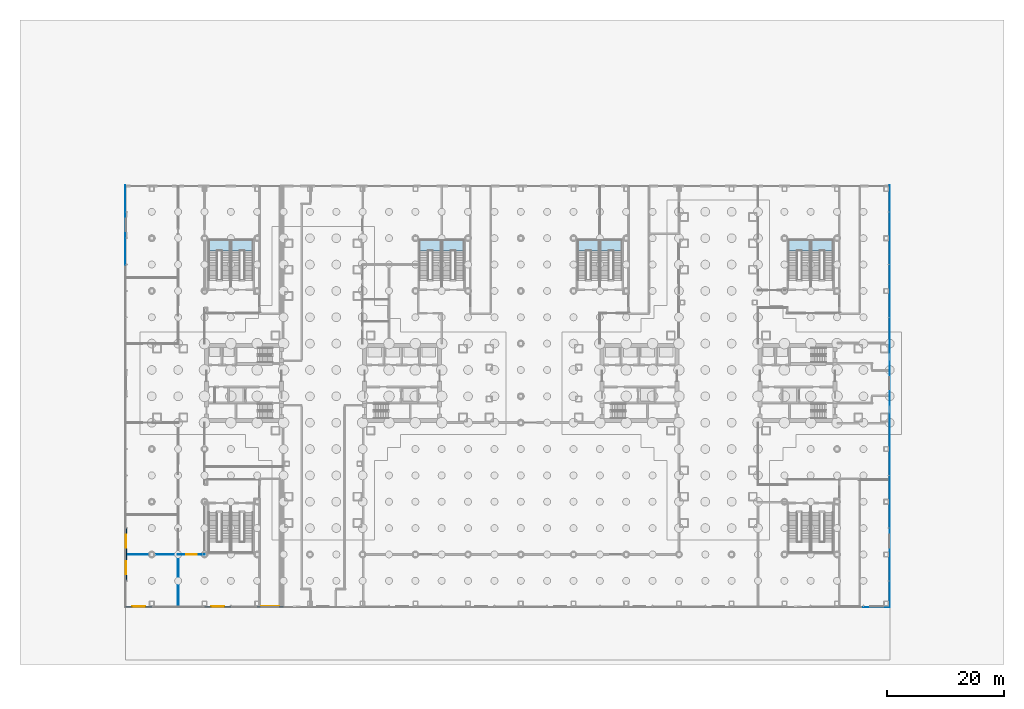
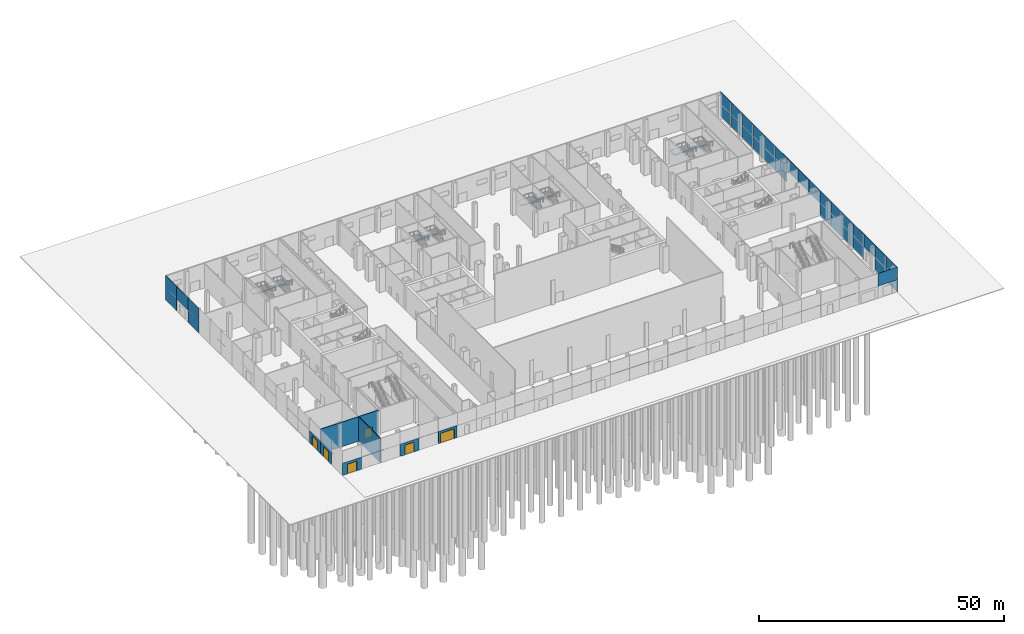
# One storey, part 16 of 37: 20 plates, 8 slabs, 8 walls, 6 doors, 6 openings, 11 elements without a shape of their own.
"""IFC4 building model written with IfcOpenShell, lengths in metres."""

from ifc_helpers import new_model, si_unit, direction, frame, frame_2d, origin, origin_2d, place, context, subcontext, project, spatial, polyline, rectangle, outline, extrude, material, layer, layer_set, type_object, element, fill, aggregate, save


model = new_model("IFC4")

# Units and contexts
model_context = context("Model", 3, precision=1e-05, world=origin(), true_north=direction((0.0, 1.0)))
body_context = subcontext(model_context, "Body", "Model", "MODEL_VIEW")
ifc_project = project(units=[si_unit("LENGTHUNIT", "METRE"), si_unit("AREAUNIT", "SQUARE_METRE"), si_unit("VOLUMEUNIT", "CUBIC_METRE"), si_unit("PLANEANGLEUNIT", "RADIAN"), si_unit("MASSUNIT", "GRAM", prefix="KILO")], contexts=[model_context])

# Site, building, storey
site_placement = place(None, origin())
site = spatial("IfcSite", under=ifc_project, at=site_placement, CompositionType="ELEMENT")
building_placement = place(site_placement, origin())
building = spatial("IfcBuilding", under=site, at=building_placement, Name="Shamsa Quay Exchange Towers", CompositionType="ELEMENT")
storey_placement = place(building_placement, origin())
storey = spatial("IfcBuildingStorey", under=building, at=storey_placement, Name="L00", CompositionType="ELEMENT", Elevation=0.0)

# Stair, slab
ifc_material_1 = material(Name="Concrete C40/50", Category="concrete")
stair_type = type_object("IfcStairType", Name="PODIUM EXIT STAIR 38 RISERS 171 MM 1500 WIDE", PredefinedType="HALF_TURN_STAIR", material=ifc_material_1)
stair_1_placement = place(storey_placement, origin())
stair_1 = element("IfcStair", 1, at=stair_1_placement, inside=storey, type_object=stair_type, Name="L00 Exit stair PS1A", PredefinedType="HALF_TURN_STAIR")
ifc_layer_1 = layer(ifc_material_1, 0.199951171875)
ifc_layer_set_1 = layer_set([ifc_layer_1], Name="CORE STAIR LANDING")
slab_type = type_object("IfcSlabType", Name="CORE STAIR LANDING", PredefinedType="LANDING", material=ifc_layer_set_1)
slab_1_placement = place(storey_placement, frame((0.0, 0.0, 3.050048828125)))
slab_1 = element("IfcSlab", 2, at=slab_1_placement, type_object=slab_type, Name="PS1A landing 1", PredefinedType="LANDING", context=body_context, shape_type="SweptSolid", body=[
    extrude(outline(polyline([(-49.574951171875, 22.590087890625), (-49.574951171875, 24.449951171875), (-53.300048828125, 24.449951171875), (-53.300048828125, 22.590087890625), (-49.574951171875, 22.590087890625)])), origin(), (0.0, 0.0, 1.0), 0.199951171875),
])
aggregate(stair_1, [slab_1])

stair_2_placement = place(storey_placement, origin())
stair_2 = element("IfcStair", 3, at=stair_2_placement, inside=storey, type_object=stair_type, Name="L00 Exit stair PS1B", PredefinedType="HALF_TURN_STAIR")
slab_2_placement = place(storey_placement, frame((0.0, 0.0, 3.050048828125)))
slab_2 = element("IfcSlab", 4, at=slab_2_placement, type_object=slab_type, Name="PS1B landing 1", PredefinedType="LANDING", context=body_context, shape_type="SweptSolid", body=[
    extrude(outline(polyline([(-45.699951171875, 22.590087890625), (-45.699951171875, 24.449951171875), (-49.425048828125, 24.449951171875), (-49.425048828125, 22.590087890625), (-45.699951171875, 22.590087890625)])), origin(), (0.0, 0.0, 1.0), 0.199951171875),
])
aggregate(stair_2, [slab_2])

stair_3_placement = place(storey_placement, origin())
stair_3 = element("IfcStair", 5, at=stair_3_placement, inside=storey, type_object=stair_type, Name="L00 Exit stair PS2A", PredefinedType="HALF_TURN_STAIR")
slab_3_placement = place(storey_placement, frame((0.0, 0.0, 3.050048828125)))
slab_3 = element("IfcSlab", 6, at=slab_3_placement, type_object=slab_type, Name="PS2A landing 1", PredefinedType="LANDING", context=body_context, shape_type="SweptSolid", body=[
    extrude(outline(polyline([(-13.574951171875, 22.590087890625), (-13.574951171875, 24.449951171875), (-17.300048828125, 24.449951171875), (-17.300048828125, 22.590087890625), (-13.574951171875, 22.590087890625)])), origin(), (0.0, 0.0, 1.0), 0.199951171875),
])
aggregate(stair_3, [slab_3])

stair_4_placement = place(storey_placement, origin())
stair_4 = element("IfcStair", 7, at=stair_4_placement, inside=storey, type_object=stair_type, Name="L00 Exit stair PS2B", PredefinedType="HALF_TURN_STAIR")
slab_4_placement = place(storey_placement, frame((0.0, 0.0, 3.050048828125)))
slab_4 = element("IfcSlab", 8, at=slab_4_placement, type_object=slab_type, Name="PS2B landing 1", PredefinedType="LANDING", context=body_context, shape_type="SweptSolid", body=[
    extrude(outline(polyline([(-9.699951171875, 22.590087890625), (-9.699951171875, 24.449951171875), (-13.425048828125, 24.449951171875), (-13.425048828125, 22.590087890625), (-9.699951171875, 22.590087890625)])), origin(), (0.0, 0.0, 1.0), 0.199951171875),
])
aggregate(stair_4, [slab_4])

stair_5_placement = place(storey_placement, origin())
stair_5 = element("IfcStair", 9, at=stair_5_placement, inside=storey, type_object=stair_type, Name="L00 Exit stair PS3A", PredefinedType="HALF_TURN_STAIR")
slab_5_placement = place(storey_placement, frame((0.0, 0.0, 3.050048828125)))
slab_5 = element("IfcSlab", 10, at=slab_5_placement, type_object=slab_type, Name="PS3A landing 1", PredefinedType="LANDING", context=body_context, shape_type="SweptSolid", body=[
    extrude(outline(polyline([(13.425048828125, 22.590087890625), (13.425048828125, 24.449951171875), (9.699951171875, 24.449951171875), (9.699951171875, 22.590087890625), (13.425048828125, 22.590087890625)])), origin(), (0.0, 0.0, 1.0), 0.199951171875),
])
aggregate(stair_5, [slab_5])

stair_6_placement = place(storey_placement, origin())
stair_6 = element("IfcStair", 11, at=stair_6_placement, inside=storey, type_object=stair_type, Name="L00 Exit stair PS3B", PredefinedType="HALF_TURN_STAIR")
slab_6_placement = place(storey_placement, frame((0.0, 0.0, 3.050048828125)))
slab_6 = element("IfcSlab", 12, at=slab_6_placement, type_object=slab_type, Name="PS3B landing 1", PredefinedType="LANDING", context=body_context, shape_type="SweptSolid", body=[
    extrude(outline(polyline([(17.300048828125, 22.590087890625), (17.300048828125, 24.449951171875), (13.574951171875, 24.449951171875), (13.574951171875, 22.590087890625), (17.300048828125, 22.590087890625)])), origin(), (0.0, 0.0, 1.0), 0.199951171875),
])
aggregate(stair_6, [slab_6])

stair_7_placement = place(storey_placement, origin())
stair_7 = element("IfcStair", 13, at=stair_7_placement, inside=storey, type_object=stair_type, Name="L00 Exit stair PS4A", PredefinedType="HALF_TURN_STAIR")
slab_7_placement = place(storey_placement, frame((0.0, 0.0, 3.050048828125)))
slab_7 = element("IfcSlab", 14, at=slab_7_placement, type_object=slab_type, Name="PS4A landing 1", PredefinedType="LANDING", context=body_context, shape_type="SweptSolid", body=[
    extrude(outline(polyline([(49.425048828125, 22.590087890625), (49.425048828125, 24.449951171875), (45.699951171875, 24.449951171875), (45.699951171875, 22.590087890625), (49.425048828125, 22.590087890625)])), origin(), (0.0, 0.0, 1.0), 0.199951171875),
])
aggregate(stair_7, [slab_7])

stair_8_placement = place(storey_placement, origin())
stair_8 = element("IfcStair", 15, at=stair_8_placement, inside=storey, type_object=stair_type, Name="L00 Exit stair PS4B", PredefinedType="HALF_TURN_STAIR")
slab_8_placement = place(storey_placement, frame((0.0, 0.0, 3.050048828125)))
slab_8 = element("IfcSlab", 16, at=slab_8_placement, type_object=slab_type, Name="PS4B landing 1", PredefinedType="LANDING", context=body_context, shape_type="SweptSolid", body=[
    extrude(outline(polyline([(53.300048828125, 22.590087890625), (53.300048828125, 24.449951171875), (49.574951171875, 24.449951171875), (49.574951171875, 22.590087890625), (53.300048828125, 22.590087890625)])), origin(), (0.0, 0.0, 1.0), 0.199951171875),
])
aggregate(stair_8, [slab_8])

# Curtain wall, plates
ifc_material_2 = material(Name="Aluminium EN AW-6063 T6, black anodised", Category="aluminium")
ifc_layer_2 = layer(ifc_material_2, 0.33203125)
ifc_layer_set_2 = layer_set([ifc_layer_2], Name="CW-3 PODIUM SHOPFRONT GLAZING")
curtain_wall_type = type_object("IfcCurtainWallType", Name="CW-3 PODIUM SHOPFRONT GLAZING", PredefinedType="NOTDEFINED", material=ifc_layer_set_2)
curtain_wall_1_placement = place(storey_placement, origin())
curtain_wall_1 = element("IfcCurtainWall", 17, at=curtain_wall_1_placement, inside=storey, type_object=curtain_wall_type, Name="CW3 PODIUM-L00-F00", PredefinedType="NOTDEFINED")
ifc_material_3 = material(Name="Glass, laminated, impact rated, clear low iron", Category="glass")
ifc_layer_3 = layer(ifc_material_3, 0.031982421875)
ifc_layer_set_3 = layer_set([ifc_layer_3], Name="CW-3 SHOPFRONT GLASS 32")
plate_type = type_object("IfcPlateType", Name="CW-3 SHOPFRONT GLASS 32", PredefinedType="CURTAIN_PANEL", material=ifc_layer_set_3)
plate_1_placement = place(storey_placement, frame((63.01611328125, -36.00244140625, 0.0), z_axis=(0.0, 0.0, 1.0), x_axis=(0.0, 1.0, 0.0)))
plate_1 = element("IfcPlate", 18, at=plate_1_placement, type_object=plate_type, Name="CW3 glass panel", PredefinedType="CURTAIN_PANEL", context=body_context, shape_type="SweptSolid", body=[
    extrude(rectangle(XDim=4.4951171875, YDim=0.031982421875, at=origin_2d()), origin(), (0.0, 0.0, 1.0), 6.14990234375),
])
plate_2_placement = place(storey_placement, frame((63.01611328125, -31.5, 0.0), z_axis=(0.0, 0.0, 1.0), x_axis=(0.0, 1.0, 0.0)))
plate_2 = element("IfcPlate", 19, at=plate_2_placement, type_object=plate_type, Name="CW3 glass panel", PredefinedType="CURTAIN_PANEL", context=body_context, shape_type="SweptSolid", body=[
    extrude(rectangle(XDim=4.489990234375, YDim=0.031982421875, at=origin_2d()), origin(), (0.0, 0.0, 1.0), 6.14990234375),
])
plate_3_placement = place(storey_placement, frame((63.01611328125, -27.0, 3.0), z_axis=(0.0, 0.0, 1.0), x_axis=(0.0, 1.0, 0.0)))
plate_3 = element("IfcPlate", 20, at=plate_3_placement, type_object=plate_type, Name="CW3 glass panel", PredefinedType="CURTAIN_PANEL", context=body_context, shape_type="SweptSolid", body=[
    extrude(rectangle(XDim=4.489990234375, YDim=0.031982421875, at=origin_2d()), origin(), (0.0, 0.0, 1.0), 3.14990234375),
])
plate_4_placement = place(storey_placement, frame((63.01611328125, -22.5, 0.0), z_axis=(0.0, 0.0, 1.0), x_axis=(0.0, 1.0, 0.0)))
plate_4 = element("IfcPlate", 21, at=plate_4_placement, type_object=plate_type, Name="CW3 glass panel", PredefinedType="CURTAIN_PANEL", context=body_context, shape_type="SweptSolid", body=[
    extrude(rectangle(XDim=4.489990234375, YDim=0.031982421875, at=origin_2d()), origin(), (0.0, 0.0, 1.0), 6.14990234375),
])
plate_5_placement = place(storey_placement, frame((63.01611328125, -18.0, 0.0), z_axis=(0.0, 0.0, 1.0), x_axis=(0.0, 1.0, 0.0)))
plate_5 = element("IfcPlate", 22, at=plate_5_placement, type_object=plate_type, Name="CW3 glass panel", PredefinedType="CURTAIN_PANEL", context=body_context, shape_type="SweptSolid", body=[
    extrude(rectangle(XDim=4.489990234375, YDim=0.031982421875, at=origin_2d()), origin(), (0.0, 0.0, 1.0), 6.14990234375),
])
plate_6_placement = place(storey_placement, frame((63.01611328125, -13.5, 0.0), z_axis=(0.0, 0.0, 1.0), x_axis=(0.0, 1.0, 0.0)))
plate_6 = element("IfcPlate", 23, at=plate_6_placement, type_object=plate_type, Name="CW3 glass panel", PredefinedType="CURTAIN_PANEL", context=body_context, shape_type="SweptSolid", body=[
    extrude(rectangle(XDim=4.489990234375, YDim=0.031982421875, at=origin_2d()), origin(), (0.0, 0.0, 1.0), 6.14990234375),
])
plate_7_placement = place(storey_placement, frame((63.01611328125, -9.0, 0.0), z_axis=(0.0, 0.0, 1.0), x_axis=(0.0, 1.0, 0.0)))
plate_7 = element("IfcPlate", 24, at=plate_7_placement, type_object=plate_type, Name="CW3 glass panel", PredefinedType="CURTAIN_PANEL", context=body_context, shape_type="SweptSolid", body=[
    extrude(rectangle(XDim=4.489990234375, YDim=0.031982421875, at=origin_2d()), origin(), (0.0, 0.0, 1.0), 6.14990234375),
])
plate_8_placement = place(storey_placement, frame((63.01611328125, -4.5, 3.0), z_axis=(0.0, 0.0, 1.0), x_axis=(0.0, 1.0, 0.0)))
plate_8 = element("IfcPlate", 25, at=plate_8_placement, type_object=plate_type, Name="CW3 glass panel", PredefinedType="CURTAIN_PANEL", context=body_context, shape_type="SweptSolid", body=[
    extrude(rectangle(XDim=4.489990234375, YDim=0.031982421875, at=origin_2d()), origin(), (0.0, 0.0, 1.0), 3.14990234375),
])
plate_9_placement = place(storey_placement, frame((63.01611328125, 0.0, 3.0), z_axis=(0.0, 0.0, 1.0), x_axis=(0.0, 1.0, 0.0)))
plate_9 = element("IfcPlate", 26, at=plate_9_placement, type_object=plate_type, Name="CW3 glass panel", PredefinedType="CURTAIN_PANEL", context=body_context, shape_type="SweptSolid", body=[
    extrude(rectangle(XDim=4.489990234375, YDim=0.031982421875, at=origin_2d()), origin(), (0.0, 0.0, 1.0), 3.14990234375),
])
plate_10_placement = place(storey_placement, frame((63.01611328125, 4.5, 3.0), z_axis=(0.0, 0.0, 1.0), x_axis=(0.0, 1.0, 0.0)))
plate_10 = element("IfcPlate", 27, at=plate_10_placement, type_object=plate_type, Name="CW3 glass panel", PredefinedType="CURTAIN_PANEL", context=body_context, shape_type="SweptSolid", body=[
    extrude(rectangle(XDim=4.489990234375, YDim=0.031982421875, at=origin_2d()), origin(), (0.0, 0.0, 1.0), 3.14990234375),
])
plate_11_placement = place(storey_placement, frame((63.01611328125, 9.0, 0.0), z_axis=(0.0, 0.0, 1.0), x_axis=(0.0, 1.0, 0.0)))
plate_11 = element("IfcPlate", 28, at=plate_11_placement, type_object=plate_type, Name="CW3 glass panel", PredefinedType="CURTAIN_PANEL", context=body_context, shape_type="SweptSolid", body=[
    extrude(rectangle(XDim=4.489990234375, YDim=0.031982421875, at=origin_2d()), origin(), (0.0, 0.0, 1.0), 6.14990234375),
])
plate_12_placement = place(storey_placement, frame((63.01611328125, 13.5, 0.0), z_axis=(0.0, 0.0, 1.0), x_axis=(0.0, 1.0, 0.0)))
plate_12 = element("IfcPlate", 29, at=plate_12_placement, type_object=plate_type, Name="CW3 glass panel", PredefinedType="CURTAIN_PANEL", context=body_context, shape_type="SweptSolid", body=[
    extrude(rectangle(XDim=4.489990234375, YDim=0.031982421875, at=origin_2d()), origin(), (0.0, 0.0, 1.0), 6.14990234375),
])
plate_13_placement = place(storey_placement, frame((63.01611328125, 18.0, 0.0), z_axis=(0.0, 0.0, 1.0), x_axis=(0.0, 1.0, 0.0)))
plate_13 = element("IfcPlate", 30, at=plate_13_placement, type_object=plate_type, Name="CW3 glass panel", PredefinedType="CURTAIN_PANEL", context=body_context, shape_type="SweptSolid", body=[
    extrude(rectangle(XDim=4.489990234375, YDim=0.031982421875, at=origin_2d()), origin(), (0.0, 0.0, 1.0), 6.14990234375),
])
plate_14_placement = place(storey_placement, frame((63.01611328125, 22.5, 0.0), z_axis=(0.0, 0.0, 1.0), x_axis=(0.0, 1.0, 0.0)))
plate_14 = element("IfcPlate", 31, at=plate_14_placement, type_object=plate_type, Name="CW3 glass panel", PredefinedType="CURTAIN_PANEL", context=body_context, shape_type="SweptSolid", body=[
    extrude(rectangle(XDim=4.489990234375, YDim=0.031982421875, at=origin_2d()), origin(), (0.0, 0.0, 1.0), 6.14990234375),
])
plate_15_placement = place(storey_placement, frame((63.01611328125, 27.0, 0.0), z_axis=(0.0, 0.0, 1.0), x_axis=(0.0, 1.0, 0.0)))
plate_15 = element("IfcPlate", 32, at=plate_15_placement, type_object=plate_type, Name="CW3 glass panel", PredefinedType="CURTAIN_PANEL", context=body_context, shape_type="SweptSolid", body=[
    extrude(rectangle(XDim=4.489990234375, YDim=0.031982421875, at=origin_2d()), origin(), (0.0, 0.0, 1.0), 6.14990234375),
])
plate_16_placement = place(storey_placement, frame((63.01611328125, 31.50244140625, 0.0), z_axis=(0.0, 0.0, 1.0), x_axis=(0.0, 1.0, 0.0)))
plate_16 = element("IfcPlate", 33, at=plate_16_placement, type_object=plate_type, Name="CW3 glass panel", PredefinedType="CURTAIN_PANEL", context=body_context, shape_type="SweptSolid", body=[
    extrude(rectangle(XDim=4.4951171875, YDim=0.031982421875, at=origin_2d()), origin(), (0.0, 0.0, 1.0), 6.14990234375),
])
aggregate(curtain_wall_1, [plate_1, plate_2, plate_3, plate_4, plate_5, plate_6, plate_7, plate_8, plate_9, plate_10, plate_11, plate_12, plate_13, plate_14, plate_15, plate_16])

curtain_wall_2_placement = place(storey_placement, origin())
curtain_wall_2 = element("IfcCurtainWall", 34, at=curtain_wall_2_placement, inside=storey, type_object=curtain_wall_type, Name="CW3 PODIUM-L00-F02", PredefinedType="NOTDEFINED")
plate_17_placement = place(storey_placement, frame((-67.51611328125, 31.50244140625, 0.0), z_axis=(0.0, 0.0, 1.0), x_axis=(0.0, -1.0, 0.0)))
plate_17 = element("IfcPlate", 35, at=plate_17_placement, type_object=plate_type, Name="CW3 glass panel", PredefinedType="CURTAIN_PANEL", context=body_context, shape_type="SweptSolid", body=[
    extrude(rectangle(XDim=4.4951171875, YDim=0.031982421875, at=origin_2d()), origin(), (0.0, 0.0, 1.0), 6.14990234375),
])
plate_18_placement = place(storey_placement, frame((-67.51611328125, 27.0, 3.0), z_axis=(0.0, 0.0, 1.0), x_axis=(0.0, -1.0, 0.0)))
plate_18 = element("IfcPlate", 36, at=plate_18_placement, type_object=plate_type, Name="CW3 glass panel", PredefinedType="CURTAIN_PANEL", context=body_context, shape_type="SweptSolid", body=[
    extrude(rectangle(XDim=4.489990234375, YDim=0.031982421875, at=origin_2d()), origin(), (0.0, 0.0, 1.0), 3.14990234375),
])
plate_19_placement = place(storey_placement, frame((-67.51611328125, 22.5, 0.0), z_axis=(0.0, 0.0, 1.0), x_axis=(0.0, -1.0, 0.0)))
plate_19 = element("IfcPlate", 37, at=plate_19_placement, type_object=plate_type, Name="CW3 glass panel", PredefinedType="CURTAIN_PANEL", context=body_context, shape_type="SweptSolid", body=[
    extrude(rectangle(XDim=4.489990234375, YDim=0.031982421875, at=origin_2d()), origin(), (0.0, 0.0, 1.0), 6.14990234375),
])
aggregate(curtain_wall_2, [plate_17, plate_18, plate_19])

# Curtain wall, plate
curtain_wall_3_placement = place(storey_placement, origin())
curtain_wall_3 = element("IfcCurtainWall", 38, at=curtain_wall_3_placement, inside=storey, type_object=curtain_wall_type, Name="CW3 PODIUM-L00-F03", PredefinedType="NOTDEFINED")
plate_20_placement = place(storey_placement, frame((60.75244140625, -38.26611328125, 3.0)))
plate_20 = element("IfcPlate", 39, at=plate_20_placement, type_object=plate_type, Name="CW3 glass panel", PredefinedType="CURTAIN_PANEL", context=body_context, shape_type="SweptSolid", body=[
    extrude(rectangle(XDim=4.4951171875, YDim=0.031982421875, at=origin_2d()), origin(), (0.0, 0.0, 1.0), 3.14990234375),
])
aggregate(curtain_wall_3, [plate_20])

# Wall, opening, door
ifc_material_4 = material(Name="Aluminium EN AW-6063 T6, black anodised, with black enamelled glass infill", Category="aluminium")
ifc_layer_4 = layer(ifc_material_4, 0.199951171875)
ifc_layer_set_4 = layer_set([ifc_layer_4], Name="ENTRANCE DOOR BAY WALL 200")
wall_type_1 = type_object("IfcWallType", Name="ENTRANCE DOOR BAY WALL 200", PredefinedType="SOLIDWALL", material=ifc_layer_set_4)
wall_1_placement = place(storey_placement, frame((-67.39990234375, -33.7099609375, 0.0), z_axis=(0.0, 0.0, 1.0), x_axis=(0.0, 1.0, 0.0)))
wall_1 = element("IfcWall", 40, at=wall_1_placement, inside=storey, type_object=wall_type_1, Name="Entrance bay Street door 2", PredefinedType="SOLIDWALL", context=body_context, shape_type="SweptSolid", body=[
    extrude(rectangle(XDim=4.427001953125, YDim=0.199951171875, at=frame_2d((2.21337890625, 0.0))), origin(), (0.0, 0.0, 1.0), 3.0),
])
opening_1_placement = place(wall_1_placement, frame((1.110107421875, 0.0, 0.0)))
opening_1 = element("IfcOpeningElement", 41, at=opening_1_placement, cuts=wall_1, Name="Opening XD020", PredefinedType="OPENING", context=body_context, shape_type="SweptSolid", body=[
    extrude(rectangle(XDim=2.199951171875, YDim=2.39990234375, at=frame_2d((1.10009765625, 1.199951171875))), frame((0.0, 0.10986328125, 0.0), z_axis=(0.0, -1.0, 0.0), x_axis=(1.0, 0.0, 0.0)), (0.0, 0.0, 1.0), 0.219970703125),
])
ifc_material_5 = material(Name="Aluminium EN AW-6063 T6, black anodised, with laminated glass leaves", Category="aluminium")
door_type_1 = type_object("IfcDoorType", Name="SHOP DOOR 2200x2400", OperationType="DOUBLE_DOOR_SINGLE_SWING", PredefinedType="DOOR", material=ifc_material_5)
door_1_placement = place(opening_1_placement, origin())
door_1 = element("IfcDoor", 42, at=door_1_placement, inside=storey, type_object=door_type_1, Name="Shop door Street door 2", OperationType="DOUBLE_DOOR_SINGLE_SWING", OverallHeight=2.39990234375, OverallWidth=2.199951171875, PredefinedType="DOOR", context=body_context, shape_type="SweptSolid", body=[
    extrude(rectangle(XDim=2.199951171875, YDim=2.39990234375, at=frame_2d((1.10009765625, 1.199951171875))), frame((0.0, 0.02490234375, 0.0), z_axis=(0.0, -1.0, 0.0), x_axis=(1.0, 0.0, 0.0)), (0.0, 0.0, 1.0), 0.050048828125),
])
fill(opening_1, door_1)

wall_2_placement = place(storey_placement, frame((-67.39990234375, -29.217041015625, 0.0), z_axis=(0.0, 0.0, 1.0), x_axis=(0.0, 1.0, 0.0)))
wall_2 = element("IfcWall", 43, at=wall_2_placement, inside=storey, type_object=wall_type_1, Name="Entrance bay Street door 4", PredefinedType="SOLIDWALL", context=body_context, shape_type="SweptSolid", body=[
    extrude(rectangle(XDim=4.427001953125, YDim=0.199951171875, at=frame_2d((2.21337890625, 0.0))), origin(), (0.0, 0.0, 1.0), 3.0),
])
opening_2_placement = place(wall_2_placement, frame((1.116943359375, 0.0, 0.0)))
opening_2 = element("IfcOpeningElement", 44, at=opening_2_placement, cuts=wall_2, Name="Opening XD022", PredefinedType="OPENING", context=body_context, shape_type="SweptSolid", body=[
    extrude(rectangle(XDim=2.199951171875, YDim=2.39990234375, at=frame_2d((1.10009765625, 1.199951171875))), frame((0.0, 0.10986328125, 0.0), z_axis=(0.0, -1.0, 0.0), x_axis=(1.0, 0.0, 0.0)), (0.0, 0.0, 1.0), 0.219970703125),
])
door_2_placement = place(opening_2_placement, origin())
door_2 = element("IfcDoor", 45, at=door_2_placement, inside=storey, type_object=door_type_1, Name="Shop door Street door 4", OperationType="DOUBLE_DOOR_SINGLE_SWING", OverallHeight=2.39990234375, OverallWidth=2.199951171875, PredefinedType="DOOR", context=body_context, shape_type="SweptSolid", body=[
    extrude(rectangle(XDim=2.199951171875, YDim=2.39990234375, at=frame_2d((1.10009765625, 1.199951171875))), frame((0.0, 0.02490234375, 0.0), z_axis=(0.0, -1.0, 0.0), x_axis=(1.0, 0.0, 0.0)), (0.0, 0.0, 1.0), 0.050048828125),
])
fill(opening_2, door_2)

wall_3_placement = place(storey_placement, frame((-63.0400390625, -38.14990234375, 0.0), z_axis=(0.0, 0.0, 1.0), x_axis=(-1.0, 0.0, 0.0)))
wall_3 = element("IfcWall", 46, at=wall_3_placement, inside=storey, type_object=wall_type_1, Name="Entrance bay Street door 9", PredefinedType="SOLIDWALL", context=body_context, shape_type="SweptSolid", body=[
    extrude(rectangle(XDim=4.419921875, YDim=0.199951171875, at=frame_2d((2.2099609375, 0.0))), origin(), (0.0, 0.0, 1.0), 3.0),
])
opening_3_placement = place(wall_3_placement, frame((1.110107421875, 0.0, 0.0)))
opening_3 = element("IfcOpeningElement", 47, at=opening_3_placement, cuts=wall_3, Name="Opening XD031", PredefinedType="OPENING", context=body_context, shape_type="SweptSolid", body=[
    extrude(rectangle(XDim=2.199951171875, YDim=2.39990234375, at=frame_2d((1.10009765625, 1.199951171875))), frame((0.0, 0.10986328125, 0.0), z_axis=(0.0, -1.0, 0.0), x_axis=(1.0, 0.0, 0.0)), (0.0, 0.0, 1.0), 0.219970703125),
])
door_3_placement = place(opening_3_placement, origin())
door_3 = element("IfcDoor", 48, at=door_3_placement, inside=storey, type_object=door_type_1, Name="Shop door Street door 9", OperationType="DOUBLE_DOOR_SINGLE_SWING", OverallHeight=2.39990234375, OverallWidth=2.199951171875, PredefinedType="DOOR", context=body_context, shape_type="SweptSolid", body=[
    extrude(rectangle(XDim=2.199951171875, YDim=2.39990234375, at=frame_2d((1.10009765625, 1.199951171875))), frame((0.0, 0.02490234375, 0.0), z_axis=(0.0, -1.0, 0.0), x_axis=(1.0, 0.0, 0.0)), (0.0, 0.0, 1.0), 0.050048828125),
])
fill(opening_3, door_3)

wall_4_placement = place(storey_placement, frame((-49.5400390625, -38.14990234375, 0.0), z_axis=(0.0, 0.0, 1.0), x_axis=(-1.0, 0.0, 0.0)))
wall_4 = element("IfcWall", 49, at=wall_4_placement, inside=storey, type_object=wall_type_1, Name="Entrance bay Street door 10", PredefinedType="SOLIDWALL", context=body_context, shape_type="SweptSolid", body=[
    extrude(rectangle(XDim=4.419921875, YDim=0.199951171875, at=frame_2d((2.2099609375, 0.0))), origin(), (0.0, 0.0, 1.0), 3.0),
])
opening_4_placement = place(wall_4_placement, frame((1.110107421875, 0.0, 0.0)))
opening_4 = element("IfcOpeningElement", 50, at=opening_4_placement, cuts=wall_4, Name="Opening XD032", PredefinedType="OPENING", context=body_context, shape_type="SweptSolid", body=[
    extrude(rectangle(XDim=2.199951171875, YDim=2.39990234375, at=frame_2d((1.10009765625, 1.199951171875))), frame((0.0, 0.10986328125, 0.0), z_axis=(0.0, -1.0, 0.0), x_axis=(1.0, 0.0, 0.0)), (0.0, 0.0, 1.0), 0.219970703125),
])
door_4_placement = place(opening_4_placement, origin())
door_4 = element("IfcDoor", 51, at=door_4_placement, inside=storey, type_object=door_type_1, Name="Shop door Street door 10", OperationType="DOUBLE_DOOR_SINGLE_SWING", OverallHeight=2.39990234375, OverallWidth=2.199951171875, PredefinedType="DOOR", context=body_context, shape_type="SweptSolid", body=[
    extrude(rectangle(XDim=2.199951171875, YDim=2.39990234375, at=frame_2d((1.10009765625, 1.199951171875))), frame((0.0, 0.02490234375, 0.0), z_axis=(0.0, -1.0, 0.0), x_axis=(1.0, 0.0, 0.0)), (0.0, 0.0, 1.0), 0.050048828125),
])
fill(opening_4, door_4)

wall_5_placement = place(storey_placement, frame((-40.532958984375, -38.14990234375, 0.0), z_axis=(0.0, 0.0, 1.0), x_axis=(-1.0, 0.0, 0.0)))
wall_5 = element("IfcWall", 52, at=wall_5_placement, inside=storey, type_object=wall_type_1, Name="Entrance bay Stair PS5 exit", PredefinedType="SOLIDWALL", context=body_context, shape_type="SweptSolid", body=[
    extrude(rectangle(XDim=4.427001953125, YDim=0.199951171875, at=frame_2d((2.21337890625, 0.0))), origin(), (0.0, 0.0, 1.0), 3.0),
])
opening_5_placement = place(wall_5_placement, frame((0.6669921875, 0.0, 0.0)))
opening_5 = element("IfcOpeningElement", 53, at=opening_5_placement, cuts=wall_5, Name="Opening XD035", PredefinedType="OPENING", context=body_context, shape_type="SweptSolid", body=[
    extrude(rectangle(XDim=3.300048828125, YDim=2.39990234375, at=frame_2d((1.64990234375, 1.199951171875))), frame((0.0, 0.10986328125, 0.0), z_axis=(0.0, -1.0, 0.0), x_axis=(1.0, 0.0, 0.0)), (0.0, 0.0, 1.0), 0.219970703125),
])
door_type_2 = type_object("IfcDoorType", Name="STAIR EXIT DOOR 3300x2400", OperationType="DOUBLE_DOOR_SINGLE_SWING", PredefinedType="DOOR", material=ifc_material_5)
door_5_placement = place(opening_5_placement, origin())
door_5 = element("IfcDoor", 54, at=door_5_placement, inside=storey, type_object=door_type_2, Name="Stair exit door Stair PS5 exit", OperationType="DOUBLE_DOOR_SINGLE_SWING", OverallHeight=2.39990234375, OverallWidth=3.300048828125, PredefinedType="DOOR", context=body_context, shape_type="SweptSolid", body=[
    extrude(rectangle(XDim=3.300048828125, YDim=2.39990234375, at=frame_2d((1.64990234375, 1.199951171875))), frame((0.0, 0.02490234375, 0.0), z_axis=(0.0, -1.0, 0.0), x_axis=(1.0, 0.0, 0.0)), (0.0, 0.0, 1.0), 0.050048828125),
])
fill(opening_5, door_5)

# Wall
ifc_material_6 = material(Name="Gypsum board partition on metal studs")
ifc_layer_5 = layer(ifc_material_6, 0.14990234375)
ifc_layer_set_5 = layer_set([ifc_layer_5], Name="Partition 150 mm EI 60")
wall_type_2 = type_object("IfcWallType", Name="Partition 150 mm EI 60", PredefinedType="PARTITIONING", material=ifc_layer_set_5)
wall_6_placement = place(storey_placement, frame((-58.5, -38.155029296875, 0.0), z_axis=(0.0, 0.0, 1.0), x_axis=(0.0, 1.0, 0.0)))
element("IfcWall", 55, at=wall_6_placement, inside=storey, type_object=wall_type_2, Name="Partition PD-L00-W73", PredefinedType="PARTITIONING", context=body_context, shape_type="SweptSolid", body=[
    extrude(rectangle(XDim=8.830078125, YDim=0.14990234375, at=frame_2d((4.4150390625, 0.0))), origin(), (0.0, 0.0, 1.0), 6.10009765625),
])

# Wall, opening, door
wall_7_placement = place(storey_placement, frame((-58.574951171875, -29.25, 0.0)))
wall_7 = element("IfcWall", 56, at=wall_7_placement, inside=storey, type_object=wall_type_2, Name="Partition PD-L00-W75", PredefinedType="PARTITIONING", context=body_context, shape_type="SweptSolid", body=[
    extrude(rectangle(XDim=4.64990234375, YDim=0.14990234375, at=frame_2d((2.324951171875, 0.0))), origin(), (0.0, 0.0, 1.0), 6.10009765625),
])
opening_6_placement = place(wall_7_placement, frame((1.425048828125, 0.0, 0.0)))
opening_6 = element("IfcOpeningElement", 57, at=opening_6_placement, cuts=wall_7, Name="Opening PD-L00-D02", PredefinedType="OPENING", context=body_context, shape_type="SweptSolid", body=[
    extrude(rectangle(XDim=1.800048828125, YDim=2.39990234375, at=frame_2d((0.89990234375, 1.199951171875))), frame((0.0, 0.0849609375, 0.0), z_axis=(0.0, -1.0, 0.0), x_axis=(1.0, 0.0, 0.0)), (0.0, 0.0, 1.0), 0.169921875),
])
ifc_material_7 = material(Name="Timber door leaf in a metal frame", Category="wood")
door_type_3 = type_object("IfcDoorType", Name="Door 1800x2400 FD30S pair", OperationType="NOTDEFINED", PredefinedType="DOOR", material=ifc_material_7)
door_6_placement = place(opening_6_placement, origin())
door_6 = element("IfcDoor", 58, at=door_6_placement, inside=storey, type_object=door_type_3, Name="Door PD-L00-D02", OperationType="DOUBLE_DOOR_SINGLE_SWING", OverallHeight=2.39990234375, OverallWidth=1.800048828125, PredefinedType="DOOR", context=body_context, shape_type="SweptSolid", body=[
    extrude(rectangle(XDim=1.800048828125, YDim=2.39990234375, at=frame_2d((0.89990234375, 1.199951171875))), frame((0.0, 0.02490234375, 0.0), z_axis=(0.0, -1.0, 0.0), x_axis=(1.0, 0.0, 0.0)), (0.0, 0.0, 1.0), 0.050048828125),
])
fill(opening_6, door_6)

# Wall
wall_8_placement = place(storey_placement, frame((-58.425048828125, -29.25, 0.0), z_axis=(0.0, 0.0, 1.0), x_axis=(-1.0, 0.0, 0.0)))
element("IfcWall", 59, at=wall_8_placement, inside=storey, type_object=wall_type_2, Name="Partition PD-L00-W97", PredefinedType="PARTITIONING", context=body_context, shape_type="SweptSolid", body=[
    extrude(rectangle(XDim=8.97998046875, YDim=0.14990234375, at=frame_2d((4.489990234375, 0.0))), origin(), (0.0, 0.0, 1.0), 6.10009765625),
])

save(model, "model.ifc")
